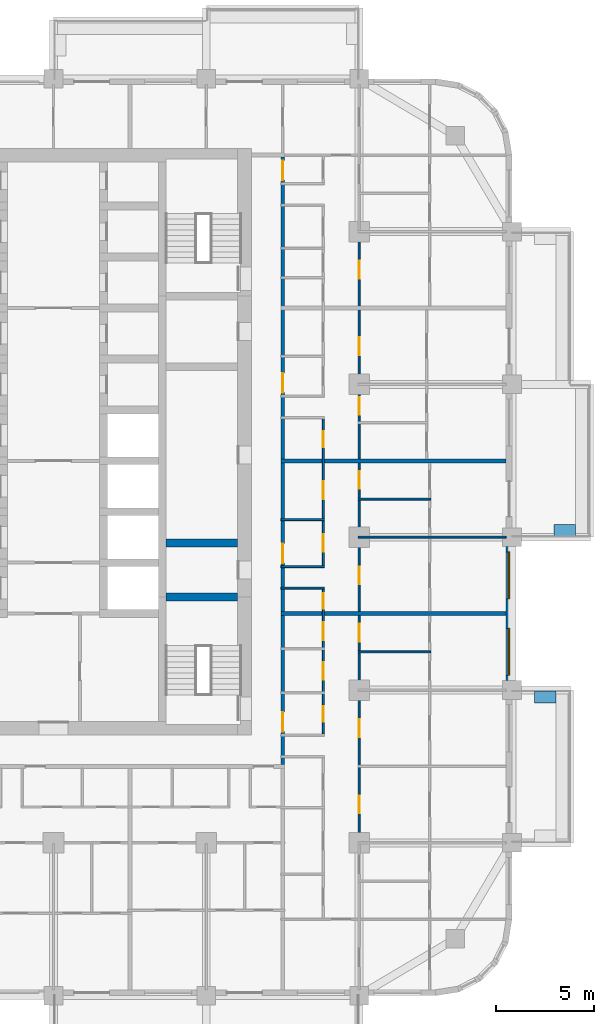
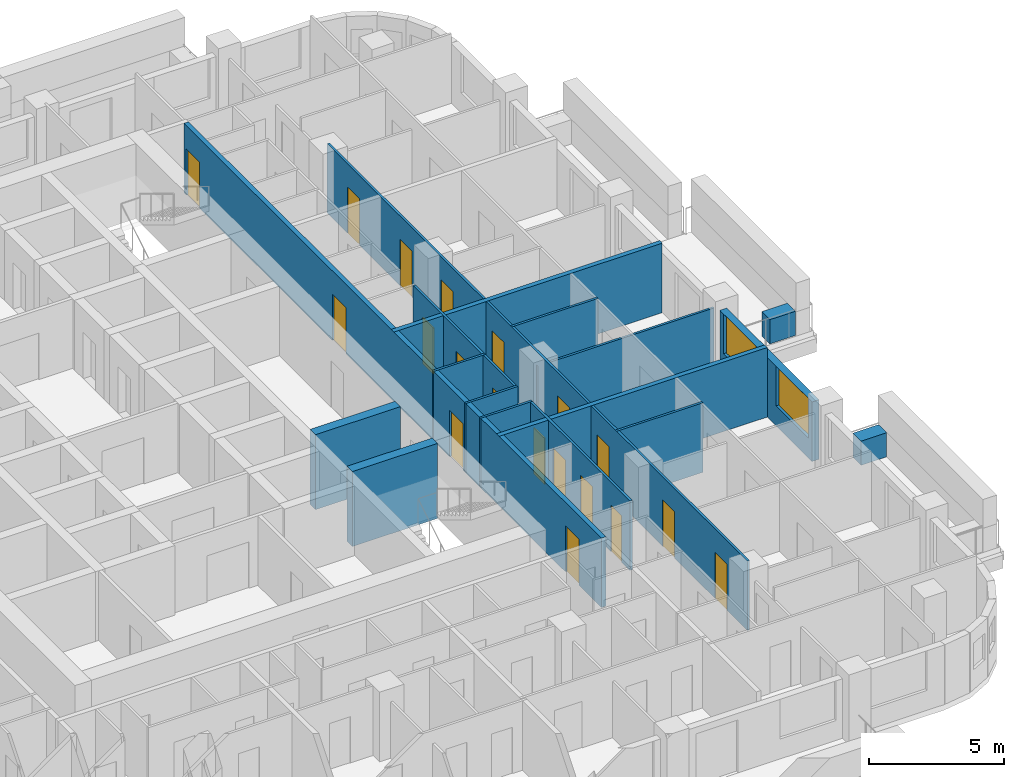
# One storey, part 9 of 18: 19 doors, 17 walls, 2 windows, 21 openings.
"""IFC4 building model written with IfcOpenShell, lengths in metres."""

from ifc_helpers import new_model, si_unit, direction, frame, frame_2d, origin, place, context, subcontext, project, spatial, rectangle, extrude, material, layer, layer_set, type_object, element, fill, save


model = new_model("IFC4")

# Units and contexts
model_context = context("Model", 3, precision=1e-05, world=origin(), true_north=direction((0.0, 1.0)))
body_context = subcontext(model_context, "Body", "Model", "MODEL_VIEW")
ifc_project = project(units=[si_unit("LENGTHUNIT", "METRE"), si_unit("AREAUNIT", "SQUARE_METRE"), si_unit("VOLUMEUNIT", "CUBIC_METRE"), si_unit("PLANEANGLEUNIT", "RADIAN"), si_unit("MASSUNIT", "GRAM", prefix="KILO")], contexts=[model_context])

# Site, building, storey
site_placement = place(None, origin())
site = spatial("IfcSite", under=ifc_project, at=site_placement, CompositionType="ELEMENT")
building_placement = place(site_placement, origin())
building = spatial("IfcBuilding", under=site, at=building_placement, Name="Ludao Terraces", CompositionType="ELEMENT")
storey_placement = place(building_placement, frame((0.0, 0.0, 78.39990234375)))
storey = spatial("IfcBuildingStorey", under=building, at=storey_placement, Name="L21", CompositionType="ELEMENT", Elevation=78.39990234375)

# Walls
ifc_material_1 = material(Name="Concrete C40", Category="concrete")
ifc_layer_1 = layer(ifc_material_1, 0.60009765625)
ifc_layer_set_1 = layer_set([ifc_layer_1], Name="ENV Planter trough 600")
wall_type_1 = type_object("IfcWallType", Name="ENV Planter trough 600", PredefinedType="USERDEFINED", material=ifc_layer_set_1)
for number, where, z_axis, x_axis, name in (
    (1, (110.64990234375, 56.85009765625, 0.0), (0.0, 0.0, 1.0), (-1.0, 0.0, 0.0), "PL-L21-E1-SB"),
    (2, (111.64990234375, 65.35009765625, 0.0), (0.0, 0.0, 1.0), (-1.0, 0.0, 0.0), "PL-L21-E3-SA"),
):
    element("IfcWall", number, at=place(storey_placement, frame(where, z_axis=z_axis, x_axis=x_axis)), inside=storey, type_object=wall_type_1, Name=name, ObjectType="PLANTER", PredefinedType="USERDEFINED", context=body_context, shape_type="SweptSolid", body=[
        extrude(rectangle(XDim=1.099853515625, YDim=0.60009765625, at=frame_2d((0.5498046875, 0.0))), origin(), (0.0, 0.0, 1.0), 1.10009765625),
    ])

# Wall, openings, windows
ifc_material_2 = material(Name="Granite cladding", Category="masonry")
ifc_layer_2 = layer(ifc_material_2, 0.0400390625, Category="stone")
ifc_material_3 = material(Name="Mineral wool")
ifc_layer_3 = layer(ifc_material_3, 0.06005859375)
ifc_layer_4 = layer(ifc_material_1, 0.199951171875, Category="concrete")
ifc_layer_set_2 = layer_set([ifc_layer_2, ifc_layer_3, ifc_layer_4], Name="ENV Stone-clad wall 300")
wall_type_2 = type_object("IfcWallType", Name="ENV Stone-clad wall 300", PredefinedType="SOLIDWALL", material=ifc_layer_set_2)
wall_1_placement = place(storey_placement, frame((108.25, 57.675048828125, 0.0), z_axis=(0.0, 0.0, 1.0), x_axis=(0.0, 1.0, 0.0)))
wall_1 = element("IfcWall", 3, at=wall_1_placement, inside=storey, type_object=wall_type_2, Name="EW-L21-E3", PredefinedType="SOLIDWALL", context=body_context, shape_type="SweptSolid", body=[
    extrude(rectangle(XDim=6.849853515625, YDim=0.300048828125, at=frame_2d((3.4248046875, 0.0))), origin(), (0.0, 0.0, 1.0), 2.7001953125),
])
opening_1_placement = place(wall_1_placement, frame((0.27490234375, 0.0, 0.89990234375)))
opening_1 = element("IfcOpeningElement", 4, at=opening_1_placement, cuts=wall_1, Name="Opening W1", PredefinedType="OPENING", context=body_context, shape_type="SweptSolid", body=[
    extrude(rectangle(XDim=2.39990234375, YDim=1.800048828125, at=frame_2d((1.199951171875, 0.89990234375))), frame((0.0, 0.16015625, 0.0), z_axis=(0.0, -1.0, 0.0), x_axis=(1.0, 0.0, 0.0)), (0.0, 0.0, 1.0), 0.320068359375),
])
opening_2_placement = place(wall_1_placement, frame((4.175048828125, 0.0, 0.89990234375)))
opening_2 = element("IfcOpeningElement", 5, at=opening_2_placement, cuts=wall_1, Name="Opening W1", PredefinedType="OPENING", context=body_context, shape_type="SweptSolid", body=[
    extrude(rectangle(XDim=2.39990234375, YDim=1.800048828125, at=frame_2d((1.199951171875, 0.89990234375))), frame((0.0, 0.16015625, 0.0), z_axis=(0.0, -1.0, 0.0), x_axis=(1.0, 0.0, 0.0)), (0.0, 0.0, 1.0), 0.320068359375),
])
ifc_material_4 = material(Name="Clear glass in aluminium frame", Category="aluminium")
ifc_layer_5 = layer(ifc_material_4, 0.06005859375)
ifc_layer_set_3 = layer_set([ifc_layer_5], Name="ENV Window W1 2400x1800")
window_type = type_object("IfcWindowType", Name="ENV Window W1 2400x1800", PartitioningType="DOUBLE_PANEL_VERTICAL", PredefinedType="WINDOW", material=ifc_layer_set_3)
window_1_placement = place(opening_1_placement, origin())
window_1 = element("IfcWindow", 6, at=window_1_placement, inside=storey, type_object=window_type, Name="W-L21-E3-1", OverallHeight=1.800048828125, OverallWidth=2.39990234375, PartitioningType="DOUBLE_PANEL_VERTICAL", PredefinedType="WINDOW", context=body_context, shape_type="SweptSolid", body=[
    extrude(rectangle(XDim=2.39990234375, YDim=1.800048828125, at=frame_2d((1.199951171875, 0.89990234375))), frame((0.0, 0.030029296875, 0.0), z_axis=(0.0, -1.0, 0.0), x_axis=(1.0, 0.0, 0.0)), (0.0, 0.0, 1.0), 0.06005859375),
])
fill(opening_1, window_1)
window_2_placement = place(opening_2_placement, origin())
window_2 = element("IfcWindow", 7, at=window_2_placement, inside=storey, type_object=window_type, Name="W-L21-E3-2", OverallHeight=1.800048828125, OverallWidth=2.39990234375, PartitioningType="DOUBLE_PANEL_VERTICAL", PredefinedType="WINDOW", context=body_context, shape_type="SweptSolid", body=[
    extrude(rectangle(XDim=2.39990234375, YDim=1.800048828125, at=frame_2d((1.199951171875, 0.89990234375))), frame((0.0, 0.030029296875, 0.0), z_axis=(0.0, -1.0, 0.0), x_axis=(1.0, 0.0, 0.0)), (0.0, 0.0, 1.0), 0.06005859375),
])
fill(opening_2, window_2)

# Wall, openings, doors
ifc_material_5 = material(Name="Autoclaved aerated concrete block B06 A3.5", Category="concrete")
ifc_layer_6 = layer(ifc_material_5, 0.199951171875)
ifc_layer_set_4 = layer_set([ifc_layer_6], Name="INT Entrance wall 200")
wall_type_3 = type_object("IfcWallType", Name="INT Entrance wall 200", PredefinedType="PARTITIONING", material=ifc_layer_set_4)
wall_2_placement = place(storey_placement, frame((96.699951171875, 53.400146484375, 0.0), z_axis=(0.0, 0.0, 1.0), x_axis=(0.0, 1.0, 0.0)))
wall_2 = element("IfcWall", 8, at=wall_2_placement, inside=storey, type_object=wall_type_3, Name="PW-L21-PW116", PredefinedType="PARTITIONING", context=body_context, shape_type="SweptSolid", body=[
    extrude(rectangle(XDim=31.0, YDim=0.199951171875, at=frame_2d((15.5, 0.0))), origin(), (0.0, 0.0, 1.0), 3.150146484375),
])
opening_3_placement = place(wall_2_placement, frame((1.675048828125, 0.0, 0.0)))
opening_3 = element("IfcOpeningElement", 9, at=opening_3_placement, cuts=wall_2, Name="Opening R06-056", PredefinedType="OPENING", context=body_context, shape_type="SweptSolid", body=[
    extrude(rectangle(XDim=1.0, YDim=2.10009765625, at=frame_2d((0.5, 1.050048828125))), frame((0.0, 0.10986328125, 0.0), z_axis=(0.0, -1.0, 0.0), x_axis=(1.0, 0.0, 0.0)), (0.0, 0.0, 1.0), 0.219970703125),
])
opening_4_placement = place(wall_2_placement, frame((10.27490234375, 0.0, 0.0)))
opening_4 = element("IfcOpeningElement", 10, at=opening_4_placement, cuts=wall_2, Name="Opening R06-083", PredefinedType="OPENING", context=body_context, shape_type="SweptSolid", body=[
    extrude(rectangle(XDim=1.0, YDim=2.10009765625, at=frame_2d((0.5, 1.050048828125))), frame((0.0, 0.10986328125, 0.0), z_axis=(0.0, -1.0, 0.0), x_axis=(1.0, 0.0, 0.0)), (0.0, 0.0, 1.0), 0.219970703125),
])
opening_5_placement = place(wall_2_placement, frame((18.97509765625, 0.0, 0.0)))
opening_5 = element("IfcOpeningElement", 11, at=opening_5_placement, cuts=wall_2, Name="Opening R06-112", PredefinedType="OPENING", context=body_context, shape_type="SweptSolid", body=[
    extrude(rectangle(XDim=1.0, YDim=2.10009765625, at=frame_2d((0.5, 1.050048828125))), frame((0.0, 0.10986328125, 0.0), z_axis=(0.0, -1.0, 0.0), x_axis=(1.0, 0.0, 0.0)), (0.0, 0.0, 1.0), 0.219970703125),
])
opening_6_placement = place(wall_2_placement, frame((29.824951171875, 0.0, 0.0)))
opening_6 = element("IfcOpeningElement", 12, at=opening_6_placement, cuts=wall_2, Name="Opening R06-152", PredefinedType="OPENING", context=body_context, shape_type="SweptSolid", body=[
    extrude(rectangle(XDim=1.0, YDim=2.10009765625, at=frame_2d((0.5, 1.050048828125))), frame((0.0, 0.10986328125, 0.0), z_axis=(0.0, -1.0, 0.0), x_axis=(1.0, 0.0, 0.0)), (0.0, 0.0, 1.0), 0.219970703125),
])
ifc_material_6 = material(Name="Steel Q235", Category="steel")
door_type_1 = type_object("IfcDoorType", Name="INT Flat entrance door 1000", OperationType="SINGLE_SWING_LEFT", PredefinedType="DOOR", material=ifc_material_6)
door_1_placement = place(opening_3_placement, origin())
door_1 = element("IfcDoor", 13, at=door_1_placement, inside=storey, type_object=door_type_1, Name="DOOR 056", OperationType="SINGLE_SWING_LEFT", OverallHeight=2.10009765625, OverallWidth=1.0, PredefinedType="DOOR", context=body_context, shape_type="SweptSolid", body=[
    extrude(rectangle(XDim=1.0, YDim=2.10009765625, at=frame_2d((0.5, 1.050048828125))), frame((0.0, 0.02490234375, 0.0), z_axis=(0.0, -1.0, 0.0), x_axis=(1.0, 0.0, 0.0)), (0.0, 0.0, 1.0), 0.050048828125),
])
fill(opening_3, door_1)
door_2_placement = place(opening_4_placement, origin())
door_2 = element("IfcDoor", 14, at=door_2_placement, inside=storey, type_object=door_type_1, Name="DOOR 083", OperationType="SINGLE_SWING_LEFT", OverallHeight=2.10009765625, OverallWidth=1.0, PredefinedType="DOOR", context=body_context, shape_type="SweptSolid", body=[
    extrude(rectangle(XDim=1.0, YDim=2.10009765625, at=frame_2d((0.5, 1.050048828125))), frame((0.0, 0.02490234375, 0.0), z_axis=(0.0, -1.0, 0.0), x_axis=(1.0, 0.0, 0.0)), (0.0, 0.0, 1.0), 0.050048828125),
])
fill(opening_4, door_2)
door_3_placement = place(opening_5_placement, origin())
door_3 = element("IfcDoor", 15, at=door_3_placement, inside=storey, type_object=door_type_1, Name="DOOR 112", OperationType="SINGLE_SWING_LEFT", OverallHeight=2.10009765625, OverallWidth=1.0, PredefinedType="DOOR", context=body_context, shape_type="SweptSolid", body=[
    extrude(rectangle(XDim=1.0, YDim=2.10009765625, at=frame_2d((0.5, 1.050048828125))), frame((0.0, 0.02490234375, 0.0), z_axis=(0.0, -1.0, 0.0), x_axis=(1.0, 0.0, 0.0)), (0.0, 0.0, 1.0), 0.050048828125),
])
fill(opening_5, door_3)
door_4_placement = place(opening_6_placement, origin())
door_4 = element("IfcDoor", 16, at=door_4_placement, inside=storey, type_object=door_type_1, Name="DOOR 152", OperationType="SINGLE_SWING_LEFT", OverallHeight=2.10009765625, OverallWidth=1.0, PredefinedType="DOOR", context=body_context, shape_type="SweptSolid", body=[
    extrude(rectangle(XDim=1.0, YDim=2.10009765625, at=frame_2d((0.5, 1.050048828125))), frame((0.0, 0.02490234375, 0.0), z_axis=(0.0, -1.0, 0.0), x_axis=(1.0, 0.0, 0.0)), (0.0, 0.0, 1.0), 0.050048828125),
])
fill(opening_6, door_4)

# Walls
ifc_material_7 = material(Name="Gypsum plasterboard", Category="gypsum")
ifc_layer_7 = layer(ifc_material_7, 0.012451171875, Category="gypsum")
ifc_layer_8 = layer(ifc_material_3, 0.06005859375, Name="insulation")
ifc_layer_9 = layer(ifc_material_6, 0.014892578125, Name="stud")
ifc_layer_10 = layer(ifc_material_7, 0.012451171875, Category="gypsum")
ifc_layer_set_5 = layer_set([ifc_layer_7, ifc_layer_8, ifc_layer_9, ifc_layer_10], Name="INT Partition 100")
wall_type_4 = type_object("IfcWallType", Name="INT Partition 100", PredefinedType="PARTITIONING", material=ifc_layer_set_5)
wall_3_placement = place(storey_placement, frame((100.550048828125, 59.14990234375, 0.0), z_axis=(0.0, 0.0, 1.0), x_axis=(1.0, 0.0, 0.0)))
element("IfcWall", 17, at=wall_3_placement, inside=storey, type_object=wall_type_4, Name="PW-L21-PW031", PredefinedType="PARTITIONING", context=body_context, shape_type="SweptSolid", body=[
    extrude(rectangle(XDim=3.699951171875, YDim=0.10009765625, at=frame_2d((1.85009765625, 0.0))), origin(), (0.0, 0.0, 1.0), 3.150146484375),
])
for number, where, z_axis, x_axis, name in (
    (18, (96.60009765625, 62.39990234375, 0.0), (0.0, 0.0, 1.0), (1.0, 0.0, 0.0), "PW-L21-PW036"),
    (19, (96.60009765625, 63.5, 0.0), (0.0, 0.0, 1.0), (1.0, 0.0, 0.0), "PW-L21-PW038"),
):
    element("IfcWall", number, at=place(storey_placement, frame(where, z_axis=z_axis, x_axis=x_axis)), inside=storey, type_object=wall_type_4, Name=name, PredefinedType="PARTITIONING", context=body_context, shape_type="SweptSolid", body=[
        extrude(rectangle(XDim=2.219970703125, YDim=0.10009765625, at=frame_2d((1.10986328125, 0.0))), origin(), (0.0, 0.0, 1.0), 3.150146484375),
    ])
wall_4_placement = place(storey_placement, frame((100.550048828125, 65.0, 0.0), z_axis=(0.0, 0.0, 1.0), x_axis=(1.0, 0.0, 0.0)))
element("IfcWall", 20, at=wall_4_placement, inside=storey, type_object=wall_type_4, Name="PW-L21-PW041", PredefinedType="PARTITIONING", context=body_context, shape_type="SweptSolid", body=[
    extrude(rectangle(XDim=7.550048828125, YDim=0.10009765625, at=frame_2d((3.77490234375, 0.0))), origin(), (0.0, 0.0, 1.0), 2.550048828125),
])
wall_5_placement = place(storey_placement, frame((96.60009765625, 65.89990234375, 0.0), z_axis=(0.0, 0.0, 1.0), x_axis=(1.0, 0.0, 0.0)))
element("IfcWall", 21, at=wall_5_placement, inside=storey, type_object=wall_type_4, Name="PW-L21-PW043", PredefinedType="PARTITIONING", context=body_context, shape_type="SweptSolid", body=[
    extrude(rectangle(XDim=2.219970703125, YDim=0.10009765625, at=frame_2d((1.10986328125, 0.0))), origin(), (0.0, 0.0, 1.0), 3.150146484375),
])
wall_6_placement = place(storey_placement, frame((100.550048828125, 66.949951171875, 0.0), z_axis=(0.0, 0.0, 1.0), x_axis=(1.0, 0.0, 0.0)))
element("IfcWall", 22, at=wall_6_placement, inside=storey, type_object=wall_type_4, Name="PW-L21-PW046", PredefinedType="PARTITIONING", context=body_context, shape_type="SweptSolid", body=[
    extrude(rectangle(XDim=3.699951171875, YDim=0.10009765625, at=frame_2d((1.85009765625, 0.0))), origin(), (0.0, 0.0, 1.0), 3.150146484375),
])

# Wall, openings, doors
wall_7_placement = place(storey_placement, frame((98.77001953125, 54.9501953125, 0.0), z_axis=(0.0, 0.0, 1.0), x_axis=(0.0, 1.0, 0.0)))
wall_7 = element("IfcWall", 23, at=wall_7_placement, inside=storey, type_object=wall_type_4, Name="PW-L21-PW119", PredefinedType="PARTITIONING", context=body_context, shape_type="SweptSolid", body=[
    extrude(rectangle(XDim=7.39990234375, YDim=0.10009765625, at=frame_2d((3.699951171875, 0.0))), origin(), (0.0, 0.0, 1.0), 3.150146484375),
])
opening_7_placement = place(wall_7_placement, frame((0.625, 0.0, 0.0)))
opening_7 = element("IfcOpeningElement", 24, at=opening_7_placement, cuts=wall_7, Name="Opening R06-058", PredefinedType="OPENING", context=body_context, shape_type="SweptSolid", body=[
    extrude(rectangle(XDim=0.800048828125, YDim=2.10009765625, at=frame_2d((0.39990234375, 1.050048828125))), frame((0.0, 0.06005859375, 0.0), z_axis=(0.0, -1.0, 0.0), x_axis=(1.0, 0.0, 0.0)), (0.0, 0.0, 1.0), 0.1201171875),
])
opening_8_placement = place(wall_7_placement, frame((2.77490234375, 0.0, 0.0)))
opening_8 = element("IfcOpeningElement", 25, at=opening_8_placement, cuts=wall_7, Name="Opening R06-064", PredefinedType="OPENING", context=body_context, shape_type="SweptSolid", body=[
    extrude(rectangle(XDim=0.89990234375, YDim=2.10009765625, at=frame_2d((0.449951171875, 1.050048828125))), frame((0.0, 0.06005859375, 0.0), z_axis=(0.0, -1.0, 0.0), x_axis=(1.0, 0.0, 0.0)), (0.0, 0.0, 1.0), 0.1201171875),
])
opening_9_placement = place(wall_7_placement, frame((4.7998046875, 0.0, 0.0)))
opening_9 = element("IfcOpeningElement", 26, at=opening_9_placement, cuts=wall_7, Name="Opening R06-071", PredefinedType="OPENING", context=body_context, shape_type="SweptSolid", body=[
    extrude(rectangle(XDim=0.89990234375, YDim=2.10009765625, at=frame_2d((0.449951171875, 1.050048828125))), frame((0.0, 0.06005859375, 0.0), z_axis=(0.0, -1.0, 0.0), x_axis=(1.0, 0.0, 0.0)), (0.0, 0.0, 1.0), 0.1201171875),
])
opening_10_placement = place(wall_7_placement, frame((6.39990234375, 0.0, 0.0)))
opening_10 = element("IfcOpeningElement", 27, at=opening_10_placement, cuts=wall_7, Name="Opening R06-073", PredefinedType="OPENING", context=body_context, shape_type="SweptSolid", body=[
    extrude(rectangle(XDim=0.800048828125, YDim=2.10009765625, at=frame_2d((0.39990234375, 1.050048828125))), frame((0.0, 0.06005859375, 0.0), z_axis=(0.0, -1.0, 0.0), x_axis=(1.0, 0.0, 0.0)), (0.0, 0.0, 1.0), 0.1201171875),
])
ifc_material_8 = material(Name="Timber door leaf", Category="wood")
door_type_2 = type_object("IfcDoorType", Name="INT Bathroom door 900", OperationType="SINGLE_SWING_LEFT", PredefinedType="DOOR", material=ifc_material_8)
door_5_placement = place(opening_8_placement, origin())
door_5 = element("IfcDoor", 28, at=door_5_placement, inside=storey, type_object=door_type_2, Name="DOOR 064", OperationType="SINGLE_SWING_RIGHT", OverallHeight=2.10009765625, OverallWidth=0.89990234375, PredefinedType="DOOR", context=body_context, shape_type="SweptSolid", body=[
    extrude(rectangle(XDim=0.89990234375, YDim=2.10009765625, at=frame_2d((0.449951171875, 1.050048828125))), frame((0.0, 0.02490234375, 0.0), z_axis=(0.0, -1.0, 0.0), x_axis=(1.0, 0.0, 0.0)), (0.0, 0.0, 1.0), 0.050048828125),
])
fill(opening_8, door_5)
door_6_placement = place(opening_9_placement, origin())
door_6 = element("IfcDoor", 29, at=door_6_placement, inside=storey, type_object=door_type_2, Name="DOOR 071", OperationType="SINGLE_SWING_RIGHT", OverallHeight=2.10009765625, OverallWidth=0.89990234375, PredefinedType="DOOR", context=body_context, shape_type="SweptSolid", body=[
    extrude(rectangle(XDim=0.89990234375, YDim=2.10009765625, at=frame_2d((0.449951171875, 1.050048828125))), frame((0.0, 0.02490234375, 0.0), z_axis=(0.0, -1.0, 0.0), x_axis=(1.0, 0.0, 0.0)), (0.0, 0.0, 1.0), 0.050048828125),
])
fill(opening_9, door_6)
door_type_3 = type_object("IfcDoorType", Name="INT Store door 800", OperationType="SINGLE_SWING_LEFT", PredefinedType="DOOR", material=ifc_material_8)
door_7_placement = place(opening_7_placement, origin())
door_7 = element("IfcDoor", 30, at=door_7_placement, inside=storey, type_object=door_type_3, Name="DOOR 058", OperationType="SINGLE_SWING_RIGHT", OverallHeight=2.10009765625, OverallWidth=0.800048828125, PredefinedType="DOOR", context=body_context, shape_type="SweptSolid", body=[
    extrude(rectangle(XDim=0.800048828125, YDim=2.10009765625, at=frame_2d((0.39990234375, 1.050048828125))), frame((0.0, 0.02490234375, 0.0), z_axis=(0.0, -1.0, 0.0), x_axis=(1.0, 0.0, 0.0)), (0.0, 0.0, 1.0), 0.050048828125),
])
fill(opening_7, door_7)
door_8_placement = place(opening_10_placement, origin())
door_8 = element("IfcDoor", 31, at=door_8_placement, inside=storey, type_object=door_type_3, Name="DOOR 073", OperationType="SINGLE_SWING_LEFT", OverallHeight=2.10009765625, OverallWidth=0.800048828125, PredefinedType="DOOR", context=body_context, shape_type="SweptSolid", body=[
    extrude(rectangle(XDim=0.800048828125, YDim=2.10009765625, at=frame_2d((0.39990234375, 1.050048828125))), frame((0.0, 0.02490234375, 0.0), z_axis=(0.0, -1.0, 0.0), x_axis=(1.0, 0.0, 0.0)), (0.0, 0.0, 1.0), 0.050048828125),
])
fill(opening_10, door_8)

wall_8_placement = place(storey_placement, frame((98.77001953125, 63.550048828125, 0.0), z_axis=(0.0, 0.0, 1.0), x_axis=(0.0, 1.0, 0.0)))
wall_8 = element("IfcWall", 32, at=wall_8_placement, inside=storey, type_object=wall_type_4, Name="PW-L21-PW120", PredefinedType="PARTITIONING", context=body_context, shape_type="SweptSolid", body=[
    extrude(rectangle(XDim=7.5, YDim=0.10009765625, at=frame_2d((3.75, 0.0))), origin(), (0.0, 0.0, 1.0), 3.150146484375),
])
opening_11_placement = place(wall_8_placement, frame((0.699951171875, 0.0, 0.0)))
opening_11 = element("IfcOpeningElement", 33, at=opening_11_placement, cuts=wall_8, Name="Opening R06-085", PredefinedType="OPENING", context=body_context, shape_type="SweptSolid", body=[
    extrude(rectangle(XDim=0.89990234375, YDim=2.10009765625, at=frame_2d((0.449951171875, 1.050048828125))), frame((0.0, 0.06005859375, 0.0), z_axis=(0.0, -1.0, 0.0), x_axis=(1.0, 0.0, 0.0)), (0.0, 0.0, 1.0), 0.1201171875),
])
opening_12_placement = place(wall_8_placement, frame((3.39990234375, 0.0, 0.0)))
opening_12 = element("IfcOpeningElement", 34, at=opening_12_placement, cuts=wall_8, Name="Opening R06-090", PredefinedType="OPENING", context=body_context, shape_type="SweptSolid", body=[
    extrude(rectangle(XDim=0.89990234375, YDim=2.10009765625, at=frame_2d((0.449951171875, 1.050048828125))), frame((0.0, 0.06005859375, 0.0), z_axis=(0.0, -1.0, 0.0), x_axis=(1.0, 0.0, 0.0)), (0.0, 0.0, 1.0), 0.1201171875),
])
opening_13_placement = place(wall_8_placement, frame((6.050048828125, 0.0, 0.0)))
opening_13 = element("IfcOpeningElement", 35, at=opening_13_placement, cuts=wall_8, Name="Opening R06-102", PredefinedType="OPENING", context=body_context, shape_type="SweptSolid", body=[
    extrude(rectangle(XDim=0.800048828125, YDim=2.10009765625, at=frame_2d((0.39990234375, 1.050048828125))), frame((0.0, 0.06005859375, 0.0), z_axis=(0.0, -1.0, 0.0), x_axis=(1.0, 0.0, 0.0)), (0.0, 0.0, 1.0), 0.1201171875),
])
door_9_placement = place(opening_11_placement, origin())
door_9 = element("IfcDoor", 36, at=door_9_placement, inside=storey, type_object=door_type_2, Name="DOOR 085", OperationType="SINGLE_SWING_LEFT", OverallHeight=2.10009765625, OverallWidth=0.89990234375, PredefinedType="DOOR", context=body_context, shape_type="SweptSolid", body=[
    extrude(rectangle(XDim=0.89990234375, YDim=2.10009765625, at=frame_2d((0.449951171875, 1.050048828125))), frame((0.0, 0.02490234375, 0.0), z_axis=(0.0, -1.0, 0.0), x_axis=(1.0, 0.0, 0.0)), (0.0, 0.0, 1.0), 0.050048828125),
])
fill(opening_11, door_9)
door_type_4 = type_object("IfcDoorType", Name="INT Room door 900", OperationType="SINGLE_SWING_LEFT", PredefinedType="DOOR", material=ifc_material_8)
door_10_placement = place(opening_12_placement, origin())
door_10 = element("IfcDoor", 37, at=door_10_placement, inside=storey, type_object=door_type_4, Name="DOOR 090", OperationType="SINGLE_SWING_LEFT", OverallHeight=2.10009765625, OverallWidth=0.89990234375, PredefinedType="DOOR", context=body_context, shape_type="SweptSolid", body=[
    extrude(rectangle(XDim=0.89990234375, YDim=2.10009765625, at=frame_2d((0.449951171875, 1.050048828125))), frame((0.0, 0.02490234375, 0.0), z_axis=(0.0, -1.0, 0.0), x_axis=(1.0, 0.0, 0.0)), (0.0, 0.0, 1.0), 0.050048828125),
])
fill(opening_12, door_10)
door_11_placement = place(opening_13_placement, origin())
door_11 = element("IfcDoor", 38, at=door_11_placement, inside=storey, type_object=door_type_3, Name="DOOR 102", OperationType="SINGLE_SWING_LEFT", OverallHeight=2.10009765625, OverallWidth=0.800048828125, PredefinedType="DOOR", context=body_context, shape_type="SweptSolid", body=[
    extrude(rectangle(XDim=0.800048828125, YDim=2.10009765625, at=frame_2d((0.39990234375, 1.050048828125))), frame((0.0, 0.02490234375, 0.0), z_axis=(0.0, -1.0, 0.0), x_axis=(1.0, 0.0, 0.0)), (0.0, 0.0, 1.0), 0.050048828125),
])
fill(opening_13, door_11)

wall_9_placement = place(storey_placement, frame((100.60009765625, 49.39990234375, 0.0), z_axis=(0.0, 0.0, 1.0), x_axis=(0.0, 1.0, 0.0)))
wall_9 = element("IfcWall", 39, at=wall_9_placement, inside=storey, type_object=wall_type_4, Name="PW-L21-PW123-2", PredefinedType="PARTITIONING", context=body_context, shape_type="SweptSolid", body=[
    extrude(rectangle(XDim=31.2001953125, YDim=0.10009765625, at=frame_2d((15.60009765625, 0.0))), origin(), (0.0, 0.0, 1.0), 3.150146484375),
])
opening_14_placement = place(wall_9_placement, frame((1.500244140625, 0.0, 0.0)))
opening_14 = element("IfcOpeningElement", 40, at=opening_14_placement, cuts=wall_9, Name="Opening R06-042", PredefinedType="OPENING", context=body_context, shape_type="SweptSolid", body=[
    extrude(rectangle(XDim=0.89990234375, YDim=2.10009765625, at=frame_2d((0.449951171875, 1.050048828125))), frame((0.0, 0.06005859375, 0.0), z_axis=(0.0, -1.0, 0.0), x_axis=(1.0, 0.0, 0.0)), (0.0, 0.0, 1.0), 0.1201171875),
])
opening_15_placement = place(wall_9_placement, frame((5.400146484375, 0.0, 0.0)))
opening_15 = element("IfcOpeningElement", 41, at=opening_15_placement, cuts=wall_9, Name="Opening R06-054", PredefinedType="OPENING", context=body_context, shape_type="SweptSolid", body=[
    extrude(rectangle(XDim=0.89990234375, YDim=2.10009765625, at=frame_2d((0.449951171875, 1.050048828125))), frame((0.0, 0.06005859375, 0.0), z_axis=(0.0, -1.0, 0.0), x_axis=(1.0, 0.0, 0.0)), (0.0, 0.0, 1.0), 0.1201171875),
])
opening_16_placement = place(wall_9_placement, frame((10.275146484375, 0.0, 0.0)))
opening_16 = element("IfcOpeningElement", 42, at=opening_16_placement, cuts=wall_9, Name="Opening R06-069", PredefinedType="OPENING", context=body_context, shape_type="SweptSolid", body=[
    extrude(rectangle(XDim=0.89990234375, YDim=2.10009765625, at=frame_2d((0.449951171875, 1.050048828125))), frame((0.0, 0.06005859375, 0.0), z_axis=(0.0, -1.0, 0.0), x_axis=(1.0, 0.0, 0.0)), (0.0, 0.0, 1.0), 0.1201171875),
])
opening_17_placement = place(wall_9_placement, frame((13.2001953125, 0.0, 0.0)))
opening_17 = element("IfcOpeningElement", 43, at=opening_17_placement, cuts=wall_9, Name="Opening R06-079", PredefinedType="OPENING", context=body_context, shape_type="SweptSolid", body=[
    extrude(rectangle(XDim=0.89990234375, YDim=2.10009765625, at=frame_2d((0.449951171875, 1.050048828125))), frame((0.0, 0.06005859375, 0.0), z_axis=(0.0, -1.0, 0.0), x_axis=(1.0, 0.0, 0.0)), (0.0, 0.0, 1.0), 0.1201171875),
])
opening_18_placement = place(wall_9_placement, frame((18.0751953125, 0.0, 0.0)))
opening_18 = element("IfcOpeningElement", 44, at=opening_18_placement, cuts=wall_9, Name="Opening R06-096", PredefinedType="OPENING", context=body_context, shape_type="SweptSolid", body=[
    extrude(rectangle(XDim=0.89990234375, YDim=2.10009765625, at=frame_2d((0.449951171875, 1.050048828125))), frame((0.0, 0.06005859375, 0.0), z_axis=(0.0, -1.0, 0.0), x_axis=(1.0, 0.0, 0.0)), (0.0, 0.0, 1.0), 0.1201171875),
])
opening_19_placement = place(wall_9_placement, frame((21.85009765625, 0.0, 0.0)))
opening_19 = element("IfcOpeningElement", 45, at=opening_19_placement, cuts=wall_9, Name="Opening R06-106", PredefinedType="OPENING", context=body_context, shape_type="SweptSolid", body=[
    extrude(rectangle(XDim=0.89990234375, YDim=2.10009765625, at=frame_2d((0.449951171875, 1.050048828125))), frame((0.0, 0.06005859375, 0.0), z_axis=(0.0, -1.0, 0.0), x_axis=(1.0, 0.0, 0.0)), (0.0, 0.0, 1.0), 0.1201171875),
])
opening_20_placement = place(wall_9_placement, frame((24.900146484375, 0.0, 0.0)))
opening_20 = element("IfcOpeningElement", 46, at=opening_20_placement, cuts=wall_9, Name="Opening R06-116", PredefinedType="OPENING", context=body_context, shape_type="SweptSolid", body=[
    extrude(rectangle(XDim=0.89990234375, YDim=2.10009765625, at=frame_2d((0.449951171875, 1.050048828125))), frame((0.0, 0.06005859375, 0.0), z_axis=(0.0, -1.0, 0.0), x_axis=(1.0, 0.0, 0.0)), (0.0, 0.0, 1.0), 0.1201171875),
])
opening_21_placement = place(wall_9_placement, frame((28.80029296875, 0.0, 0.0)))
opening_21 = element("IfcOpeningElement", 47, at=opening_21_placement, cuts=wall_9, Name="Opening R06-135", PredefinedType="OPENING", context=body_context, shape_type="SweptSolid", body=[
    extrude(rectangle(XDim=0.89990234375, YDim=2.10009765625, at=frame_2d((0.449951171875, 1.050048828125))), frame((0.0, 0.06005859375, 0.0), z_axis=(0.0, -1.0, 0.0), x_axis=(1.0, 0.0, 0.0)), (0.0, 0.0, 1.0), 0.1201171875),
])
door_12_placement = place(opening_14_placement, origin())
door_12 = element("IfcDoor", 48, at=door_12_placement, inside=storey, type_object=door_type_4, Name="DOOR 042", OperationType="SINGLE_SWING_RIGHT", OverallHeight=2.10009765625, OverallWidth=0.89990234375, PredefinedType="DOOR", context=body_context, shape_type="SweptSolid", body=[
    extrude(rectangle(XDim=0.89990234375, YDim=2.10009765625, at=frame_2d((0.449951171875, 1.050048828125))), frame((0.0, 0.02490234375, 0.0), z_axis=(0.0, -1.0, 0.0), x_axis=(1.0, 0.0, 0.0)), (0.0, 0.0, 1.0), 0.050048828125),
])
fill(opening_14, door_12)
door_13_placement = place(opening_15_placement, origin())
door_13 = element("IfcDoor", 49, at=door_13_placement, inside=storey, type_object=door_type_4, Name="DOOR 054", OperationType="SINGLE_SWING_RIGHT", OverallHeight=2.10009765625, OverallWidth=0.89990234375, PredefinedType="DOOR", context=body_context, shape_type="SweptSolid", body=[
    extrude(rectangle(XDim=0.89990234375, YDim=2.10009765625, at=frame_2d((0.449951171875, 1.050048828125))), frame((0.0, 0.02490234375, 0.0), z_axis=(0.0, -1.0, 0.0), x_axis=(1.0, 0.0, 0.0)), (0.0, 0.0, 1.0), 0.050048828125),
])
fill(opening_15, door_13)
door_14_placement = place(opening_16_placement, origin())
door_14 = element("IfcDoor", 50, at=door_14_placement, inside=storey, type_object=door_type_4, Name="DOOR 069", OperationType="SINGLE_SWING_RIGHT", OverallHeight=2.10009765625, OverallWidth=0.89990234375, PredefinedType="DOOR", context=body_context, shape_type="SweptSolid", body=[
    extrude(rectangle(XDim=0.89990234375, YDim=2.10009765625, at=frame_2d((0.449951171875, 1.050048828125))), frame((0.0, 0.02490234375, 0.0), z_axis=(0.0, -1.0, 0.0), x_axis=(1.0, 0.0, 0.0)), (0.0, 0.0, 1.0), 0.050048828125),
])
fill(opening_16, door_14)
door_15_placement = place(opening_17_placement, origin())
door_15 = element("IfcDoor", 51, at=door_15_placement, inside=storey, type_object=door_type_4, Name="DOOR 079", OperationType="SINGLE_SWING_RIGHT", OverallHeight=2.10009765625, OverallWidth=0.89990234375, PredefinedType="DOOR", context=body_context, shape_type="SweptSolid", body=[
    extrude(rectangle(XDim=0.89990234375, YDim=2.10009765625, at=frame_2d((0.449951171875, 1.050048828125))), frame((0.0, 0.02490234375, 0.0), z_axis=(0.0, -1.0, 0.0), x_axis=(1.0, 0.0, 0.0)), (0.0, 0.0, 1.0), 0.050048828125),
])
fill(opening_17, door_15)
door_16_placement = place(opening_18_placement, origin())
door_16 = element("IfcDoor", 52, at=door_16_placement, inside=storey, type_object=door_type_4, Name="DOOR 096", OperationType="SINGLE_SWING_LEFT", OverallHeight=2.10009765625, OverallWidth=0.89990234375, PredefinedType="DOOR", context=body_context, shape_type="SweptSolid", body=[
    extrude(rectangle(XDim=0.89990234375, YDim=2.10009765625, at=frame_2d((0.449951171875, 1.050048828125))), frame((0.0, 0.02490234375, 0.0), z_axis=(0.0, -1.0, 0.0), x_axis=(1.0, 0.0, 0.0)), (0.0, 0.0, 1.0), 0.050048828125),
])
fill(opening_18, door_16)
door_17_placement = place(opening_19_placement, origin())
door_17 = element("IfcDoor", 53, at=door_17_placement, inside=storey, type_object=door_type_4, Name="DOOR 106", OperationType="SINGLE_SWING_RIGHT", OverallHeight=2.10009765625, OverallWidth=0.89990234375, PredefinedType="DOOR", context=body_context, shape_type="SweptSolid", body=[
    extrude(rectangle(XDim=0.89990234375, YDim=2.10009765625, at=frame_2d((0.449951171875, 1.050048828125))), frame((0.0, 0.02490234375, 0.0), z_axis=(0.0, -1.0, 0.0), x_axis=(1.0, 0.0, 0.0)), (0.0, 0.0, 1.0), 0.050048828125),
])
fill(opening_19, door_17)
door_18_placement = place(opening_20_placement, origin())
door_18 = element("IfcDoor", 54, at=door_18_placement, inside=storey, type_object=door_type_4, Name="DOOR 116", OperationType="SINGLE_SWING_LEFT", OverallHeight=2.10009765625, OverallWidth=0.89990234375, PredefinedType="DOOR", context=body_context, shape_type="SweptSolid", body=[
    extrude(rectangle(XDim=0.89990234375, YDim=2.10009765625, at=frame_2d((0.449951171875, 1.050048828125))), frame((0.0, 0.02490234375, 0.0), z_axis=(0.0, -1.0, 0.0), x_axis=(1.0, 0.0, 0.0)), (0.0, 0.0, 1.0), 0.050048828125),
])
fill(opening_20, door_18)
door_19_placement = place(opening_21_placement, origin())
door_19 = element("IfcDoor", 55, at=door_19_placement, inside=storey, type_object=door_type_4, Name="DOOR 135", OperationType="SINGLE_SWING_LEFT", OverallHeight=2.10009765625, OverallWidth=0.89990234375, PredefinedType="DOOR", context=body_context, shape_type="SweptSolid", body=[
    extrude(rectangle(XDim=0.89990234375, YDim=2.10009765625, at=frame_2d((0.449951171875, 1.050048828125))), frame((0.0, 0.02490234375, 0.0), z_axis=(0.0, -1.0, 0.0), x_axis=(1.0, 0.0, 0.0)), (0.0, 0.0, 1.0), 0.050048828125),
])
fill(opening_21, door_19)

# Walls
ifc_layer_11 = layer(ifc_material_5, 0.199951171875)
ifc_layer_set_6 = layer_set([ifc_layer_11], Name="INT Party wall 200")
wall_type_5 = type_object("IfcWallType", Name="INT Party wall 200", PredefinedType="PARTITIONING", material=ifc_layer_set_6)
for number, where, z_axis, x_axis, name in (
    (56, (96.60009765625, 61.10009765625, 0.0), (0.0, 0.0, 1.0), (1.0, 0.0, 0.0), "PW-L21-PW035"),
    (57, (96.60009765625, 68.89990234375, 0.0), (0.0, 0.0, 1.0), (1.0, 0.0, 0.0), "PW-L21-PW049"),
):
    element("IfcWall", number, at=place(storey_placement, frame(where, z_axis=z_axis, x_axis=x_axis)), inside=storey, type_object=wall_type_5, Name=name, PredefinedType="PARTITIONING", context=body_context, shape_type="SweptSolid", body=[
        extrude(rectangle(XDim=11.5, YDim=0.199951171875, at=frame_2d((5.75, 0.0))), origin(), (0.0, 0.0, 1.0), 3.150146484375),
    ])
ifc_material_9 = material(Name="Concrete C60", Category="concrete")
ifc_layer_12 = layer(ifc_material_9, 0.39990234375)
ifc_layer_set_7 = layer_set([ifc_layer_12], Name="Shaft wall 400 C60")
wall_type_6 = type_object("IfcWallType", Name="Shaft wall 400 C60", PredefinedType="SOLIDWALL", material=ifc_layer_set_7)
for number, where, z_axis, x_axis, name in (
    (58, (90.75, 61.949951171875, -0.25), (0.0, 0.0, 1.0), (1.0, 0.0, 0.0), "Core wall L21 hall-E"),
    (59, (90.75, 64.699951171875, -0.25), (0.0, 0.0, 1.0), (1.0, 0.0, 0.0), "Core wall L21 riser-a-E"),
):
    element("IfcWall", number, at=place(storey_placement, frame(where, z_axis=z_axis, x_axis=x_axis)), inside=storey, type_object=wall_type_6, Name=name, PredefinedType="SOLIDWALL", context=body_context, shape_type="SweptSolid", body=[
        extrude(rectangle(XDim=3.64990234375, YDim=0.39990234375, at=frame_2d((1.824951171875, 0.0))), origin(), (0.0, 0.0, 1.0), 3.400146484375),
    ])

save(model, "model.ifc")
